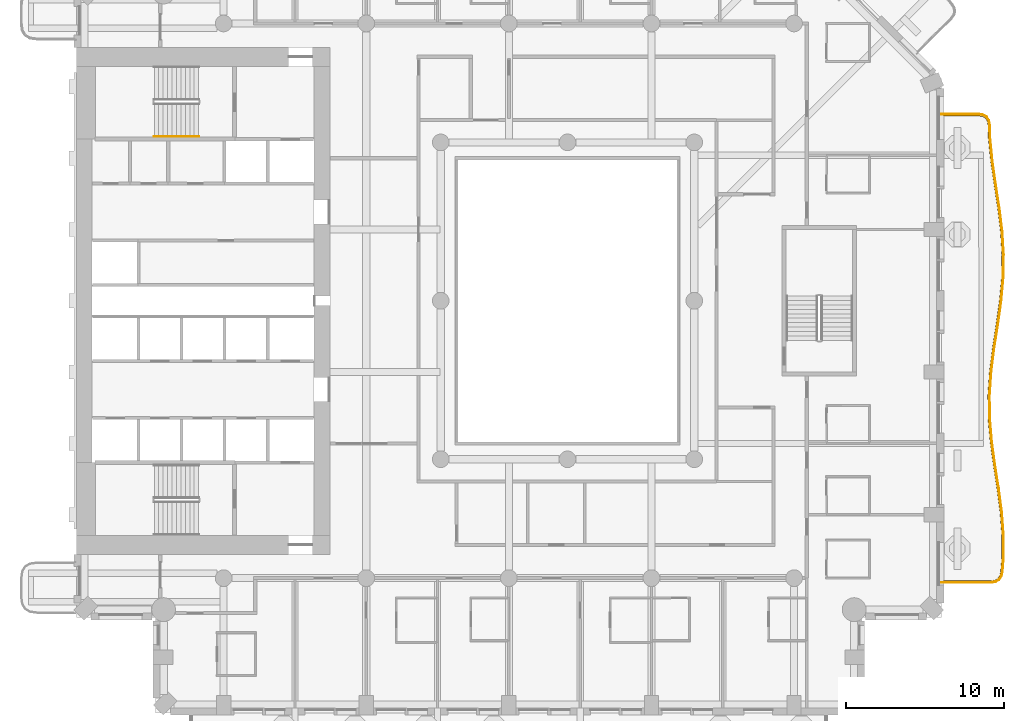
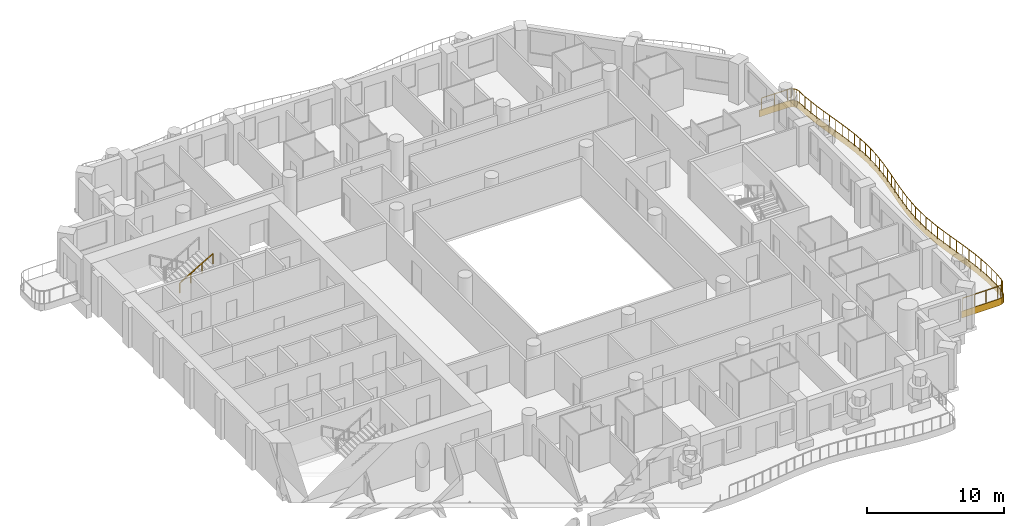
# One storey, part 16 of 20: 2 railings, 1 covering.
"""IFC4 building model written with IfcOpenShell, lengths in metres."""

import ifcopenshell
import ifcopenshell.guid

model = None  # the IFC model being written
_history = None  # IfcOwnerHistory: only IFC2X3 demands one
_inside = {}  # id of a spatial element -> (the spatial element, [elements in it])
_under = {}  # id of a project, library or spatial element -> (it, [spatial elements below it])
_declared = {}  # id of a project -> (the project, [libraries it declares])
_typed = {}  # id of a type object -> (the type object, [elements of that type])
_made_of = {}  # id of a material, layer set ... -> (it, [elements and type objects made of it])


def new_model(schema):
    """Start an empty IFC model of exactly this schema.

    Asked for "IFC4X3", IfcOpenShell would pick the latest addendum, in which some entities
    have other attributes; the version numbers below select the first issue.
    IFC2X3 requires an IfcOwnerHistory on every rooted entity: one is made here for all.
    """
    global model, _history
    if schema == "IFC4X3":
        model = ifcopenshell.file(schema_version=(4, 3, 0, 0))
    else:
        model = ifcopenshell.file(schema=schema)
    _inside.clear()
    _under.clear()
    _declared.clear()
    _typed.clear()
    _made_of.clear()
    _history = None
    if model.schema == "IFC2X3":
        org = make("IfcOrganization", Name="unknown")
        user = make(
            "IfcPersonAndOrganization",
            ThePerson=make("IfcPerson", FamilyName="unknown"),
            TheOrganization=org,
        )
        app = make(
            "IfcApplication",
            ApplicationDeveloper=org,
            Version="unknown",
            ApplicationFullName="unknown",
            ApplicationIdentifier="unknown",
        )
        _history = make(
            "IfcOwnerHistory",
            OwningUser=user,
            OwningApplication=app,
            ChangeAction="ADDED",
            CreationDate=0,
        )
    return model


def make(cls, **values):
    """One entity of the class cls with the attributes given. An attribute that is None is left unset."""
    return model.create_entity(
        cls, **{name: value for name, value in values.items() if value is not None}
    )


def rooted(cls, **values):
    """An entity with a GlobalId (a new one), such as an element, a storey or a relation."""
    return make(cls, GlobalId=ifcopenshell.guid.new(), OwnerHistory=_history, **values)


def si_unit(unit_type, name, prefix=None):
    """IfcSIUnit, for example si_unit("LENGTHUNIT", "METRE", prefix="MILLI")."""
    return make("IfcSIUnit", UnitType=unit_type, Prefix=prefix, Name=name)


def assignment(units):
    """IfcUnitAssignment: the units of a project."""
    return None if units is None else make("IfcUnitAssignment", Units=units)


def point(xyz):
    """IfcCartesianPoint."""
    return None if xyz is None else make("IfcCartesianPoint", Coordinates=xyz)


def direction(xyz):
    """IfcDirection."""
    return None if xyz is None else make("IfcDirection", DirectionRatios=xyz)


def frame(location, z_axis=None, x_axis=None):
    """IfcAxis2Placement3D, a coordinate frame: its origin and axes. An axis left out is left unset."""
    return make(
        "IfcAxis2Placement3D",
        Location=point(location),
        Axis=direction(z_axis),
        RefDirection=direction(x_axis),
    )


def frame_2d(location, x_axis=None):
    """IfcAxis2Placement2D, a coordinate frame in the plane: its origin and x axis."""
    return make(
        "IfcAxis2Placement2D", Location=point(location), RefDirection=direction(x_axis)
    )


def origin():
    """The frame at (0, 0, 0) with its axes left unset."""
    return frame((0.0, 0.0, 0.0))


def origin_2d():
    """The frame at (0, 0) in the plane with its x axis left unset."""
    return frame_2d((0.0, 0.0))


def place(relative_to, where):
    """IfcLocalPlacement: puts the frame where relative to a parent placement (None: the world)."""
    return make(
        "IfcLocalPlacement", PlacementRelTo=relative_to, RelativePlacement=where
    )


def context(
    kind, dimensions, precision=None, world=None, true_north=None, identifier=None
):
    """IfcGeometricRepresentationContext, for example the 3D "Model" context."""
    return make(
        "IfcGeometricRepresentationContext",
        ContextIdentifier=identifier,
        ContextType=kind,
        CoordinateSpaceDimension=dimensions,
        Precision=precision,
        WorldCoordinateSystem=world,
        TrueNorth=true_north,
    )


def subcontext(parent, identifier, kind, view, scale=None):
    """IfcGeometricRepresentationSubContext, for example "Body" below "Model"."""
    return make(
        "IfcGeometricRepresentationSubContext",
        ContextIdentifier=identifier,
        ContextType=kind,
        ParentContext=parent,
        TargetScale=scale,
        TargetView=view,
    )


def project(units=None, contexts=None):
    """IfcProject with its units and contexts."""
    return rooted(
        "IfcProject",
        Name="project",
        RepresentationContexts=contexts,
        UnitsInContext=assignment(units),
    )


def spatial(cls, under=None, at=None, **own):
    """A site, building, storey or space (cls), placed at a placement, below another one or the project."""
    s = rooted(cls, ObjectPlacement=at, **own)
    if under is not None:
        _under.setdefault(under.id(), (under, []))[1].append(s)
    return s


def polyline(points):
    """IfcPolyline through the points."""
    return make("IfcPolyline", Points=[point(p) for p in points])


def profile(cls, at=None, kind="AREA", **sizes):
    """A parametric profile (cls). Its sizes go by their IFC names, for example OverallWidth=200.0."""
    return make(cls, ProfileType=kind, Position=at, **sizes)


def rectangle(**sizes):
    """IfcRectangleProfileDef."""
    return profile("IfcRectangleProfileDef", **sizes)


def outline(outer, holes=None, kind="AREA"):
    """IfcArbitraryClosedProfileDef: a profile drawn as a closed curve; with holes, ...WithVoids."""
    if holes is None:
        return make("IfcArbitraryClosedProfileDef", ProfileType=kind, OuterCurve=outer)
    return make(
        "IfcArbitraryProfileDefWithVoids",
        ProfileType=kind,
        OuterCurve=outer,
        InnerCurves=holes,
    )


def extrude(swept, where, along, depth):
    """IfcExtrudedAreaSolid: the profile swept, set in the frame where, extruded along a direction by depth."""
    return make(
        "IfcExtrudedAreaSolid",
        SweptArea=swept,
        Position=where,
        ExtrudedDirection=direction(along),
        Depth=depth,
    )


def shape(context_of_items, identifier, shape_type, items):
    """IfcShapeRepresentation: the items that make up one representation, for example the "Body"."""
    return make(
        "IfcShapeRepresentation",
        ContextOfItems=context_of_items,
        RepresentationIdentifier=identifier,
        RepresentationType=shape_type,
        Items=items,
    )


def material(Name=None, Category=None):
    """IfcMaterial."""
    return make("IfcMaterial", Name=Name, Category=Category)


def layer(
    of_material, thickness, ventilated=None, Name=None, Category=None, Priority=None
):
    """IfcMaterialLayer: one layer of a wall or slab, of a material (None: an air gap)."""
    return make(
        "IfcMaterialLayer",
        Material=of_material,
        LayerThickness=thickness,
        IsVentilated=ventilated,
        Name=Name,
        Category=Category,
        Priority=Priority,
    )


def layer_set(layers, Name=None):
    """IfcMaterialLayerSet."""
    return make("IfcMaterialLayerSet", MaterialLayers=layers, LayerSetName=Name)


def made_of(thing, what):
    """Note that an element or type object is made of a material, layer set ...; save() writes the relation."""
    if what is not None:
        _made_of.setdefault(what.id(), (what, []))[1].append(thing)
    return thing


def type_object(cls, material=None, **own):
    """A type object (cls), such as IfcWallType, which elements share."""
    return made_of(rooted(cls, **own), material)


def element(
    cls,
    number,
    at=None,
    inside=None,
    cuts=None,
    type_object=None,
    material=None,
    context=None,
    identifier="Body",
    shape_type=None,
    held_by="IfcProductDefinitionShape",
    body=None,
    shapes=None,
    **own,
):
    """One element of the class cls, such as IfcWall. Its Tag is "e" and its number.

    at: its placement. inside: the storey or other place that contains it. cuts: it is an
    opening in that element (IfcRelVoidsElement). A single representation is given by context,
    identifier, shape_type and body (its items); several are given by shapes. held_by: the class
    of the entity that holds the representations. save() writes the other relations.
    """
    e = rooted(cls, Tag="e%d" % number, ObjectPlacement=at, **own)
    if body is not None:
        shapes = [shape(context, identifier, shape_type, body)]
    if shapes is not None:
        e.Representation = make(held_by, Representations=shapes)
    if inside is not None:
        _inside.setdefault(inside.id(), (inside, []))[1].append(e)
    if cuts is not None:
        rooted(
            "IfcRelVoidsElement", RelatingBuildingElement=cuts, RelatedOpeningElement=e
        )
    if type_object is not None:
        _typed.setdefault(type_object.id(), (type_object, []))[1].append(e)
    return made_of(e, material)


def aggregate(whole, parts):
    """IfcRelAggregates: a whole, such as a stair, and the parts it consists of."""
    return rooted("IfcRelAggregates", RelatingObject=whole, RelatedObjects=parts)


def save(model, path):
    """Write the relations noted so far, then the file.

    IfcRelAggregates (storeys below a building ...), IfcRelContainedInSpatialStructure (elements
    in a storey), IfcRelDefinesByType, IfcRelAssociatesMaterial and IfcRelDeclares: one each for
    every whole, place, type object, material and project.
    """
    for whole, parts in _under.values():
        aggregate(whole, parts)
    for where, things in _inside.values():
        rooted(
            "IfcRelContainedInSpatialStructure",
            RelatedElements=things,
            RelatingStructure=where,
        )
    for kind, things in _typed.values():
        rooted("IfcRelDefinesByType", RelatedObjects=things, RelatingType=kind)
    for what, things in _made_of.values():
        rooted("IfcRelAssociatesMaterial", RelatedObjects=things, RelatingMaterial=what)
    for by, libraries in _declared.values():
        rooted("IfcRelDeclares", RelatingContext=by, RelatedDefinitions=libraries)
    model.write(path)


model = new_model("IFC4")

# Units and contexts
model_context = context("Model", 3, precision=1e-05, world=origin(), true_north=direction((0.0, 1.0)))
body_context = subcontext(model_context, "Body", "Model", "MODEL_VIEW")
ifc_project = project(units=[si_unit("LENGTHUNIT", "METRE"), si_unit("AREAUNIT", "SQUARE_METRE"), si_unit("VOLUMEUNIT", "CUBIC_METRE"), si_unit("PLANEANGLEUNIT", "RADIAN"), si_unit("MASSUNIT", "GRAM", prefix="KILO")], contexts=[model_context])

# Site, building, storey
site_placement = place(None, origin())
site = spatial("IfcSite", under=ifc_project, at=site_placement, CompositionType="ELEMENT")
building_placement = place(site_placement, origin())
building = spatial("IfcBuilding", under=site, at=building_placement, Name="Cypress Arch Tower", CompositionType="ELEMENT")
storey_placement = place(building_placement, frame((0.0, 0.0, 116.699951171875)))
storey = spatial("IfcBuildingStorey", under=building, at=storey_placement, Name="L24", CompositionType="ELEMENT", Elevation=116.699951171875)

# Covering
ifc_material_1 = material(Name="White powder-coated aluminium fascia", Category="aluminium")
ifc_layer = layer(ifc_material_1, 0.050048828125)
ifc_layer_set = layer_set([ifc_layer], Name="Balcony fascia BF50")
covering_type = type_object("IfcCoveringType", Name="Balcony fascia BF50", PredefinedType="CLADDING", material=ifc_layer_set)
covering_placement = place(storey_placement, frame((0.0, 0.0, -0.599853515625)))
element("IfcCovering", 1, at=covering_placement, inside=storey, type_object=covering_type, Name="Balcony fascia L24-A06", PredefinedType="CLADDING", context=body_context, shape_type="SweptSolid", body=[
    extrude(outline(polyline([(26.941162109375, 11.800048828125), (27.24609375, 11.756591796875), (27.47607421875, 11.620849609375), (27.61767578125, 11.394775390625), (27.6689453125, 11.091064453125), (27.6904296875, 10.278076171875), (27.835205078125, 8.80615234375), (28.048583984375, 7.332275390625), (28.275390625, 5.85693359375), (28.456787109375, 4.379638671875), (28.545654296875, 2.901123046875), (28.5185546875, 1.42236328125), (28.3828125, -0.055908203125), (28.173828125, -1.5322265625), (27.945556640625, -3.007080078125), (27.757568359375, -4.479736328125), (27.658203125, -5.951416015625), (27.67333984375, -7.422607421875), (27.798583984375, -8.89453125), (28.001953125, -10.36767578125), (28.23095703125, -11.8427734375), (28.42626953125, -13.31982421875), (28.53662109375, -14.798095703125), (28.53369140625, -16.277099609375), (28.4697265625, -17.09375), (28.402587890625, -17.396728515625), (28.24951171875, -17.621826171875), (28.013427734375, -17.756591796875), (27.705810546875, -17.800048828125), (24.60107421875, -17.800048828125), (24.60107421875, -17.75), (27.702392578125, -17.75), (27.996826171875, -17.70849609375), (28.21484375, -17.583984375), (28.355712890625, -17.376708984375), (28.420166015625, -17.086181640625), (28.483642578125, -16.27490234375), (28.486572265625, -14.800048828125), (28.37646484375, -13.324951171875), (28.181640625, -11.85009765625), (27.95263671875, -10.375), (27.748779296875, -8.89990234375), (27.623291015625, -7.425048828125), (27.608154296875, -5.949951171875), (27.707763671875, -4.47509765625), (27.89599609375, -3.0), (28.124267578125, -1.52490234375), (28.333251953125, -0.050048828125), (28.46875, 1.425048828125), (28.49560546875, 2.89990234375), (28.406982421875, 4.375), (28.225830078125, 5.85009765625), (27.9990234375, 7.324951171875), (27.785400390625, 8.800048828125), (27.640625, 10.27490234375), (27.619140625, 11.086181640625), (27.570068359375, 11.376708984375), (27.440185546875, 11.583984375), (27.229248046875, 11.70849609375), (26.937744140625, 11.75), (24.60107421875, 11.75), (24.60107421875, 11.800048828125), (26.941162109375, 11.800048828125)])), origin(), (0.0, 0.0, 1.0), 0.599853515625),
])

# Railings
ifc_material_2 = material(Name="Powder-coated steel posts and rods, 100 mm clear between rods", Category="steel")
railing_type_1 = type_object("IfcRailingType", Name="Balcony guard GR1100", PredefinedType="GUARDRAIL", material=ifc_material_2)
railing_1_placement = place(storey_placement, frame((24.75, 11.699951171875, 0.0)))
element("IfcRailing", 2, at=railing_1_placement, inside=storey, type_object=railing_type_1, Name="Balcony guard L24-A06", PredefinedType="GUARDRAIL", context=body_context, shape_type="SweptSolid", body=[
    extrude(rectangle(XDim=0.050048828125, YDim=0.050048828125, at=origin_2d()), frame((0.0, 0.0, 1.0751953125), z_axis=(1.0, 0.0, 0.0), x_axis=(0.0, 1.0, 0.0)), (0.0, 0.0, 1.0), 2.18408203125),
    extrude(rectangle(XDim=0.050048828125, YDim=0.050048828125, at=origin_2d()), frame((2.18408203125, 0.0, 1.0751953125), z_axis=(0.990053441017, -0.140691804776, 0.0), x_axis=(0.140691804776, 0.990053441017, 0.0)), (0.0, 0.0, 1.0), 0.281005859375),
    extrude(rectangle(XDim=0.050048828125, YDim=0.050048828125, at=origin_2d()), frame((2.46240234375, -0.03955078125, 1.0751953125), z_axis=(0.86114456316, -0.508360149245, 0.0), x_axis=(0.508360149245, 0.86114456316, 0.0)), (0.0, 0.0, 1.0), 0.222900390625),
    extrude(rectangle(XDim=0.050048828125, YDim=0.050048828125, at=origin_2d()), frame((2.654296875, -0.15283203125, 1.0751953125), z_axis=(0.53068867466, -0.84756682957, 0.0), x_axis=(0.84756682957, 0.53068867466, 0.0)), (0.0, 0.0, 1.0), 0.22265625),
    extrude(rectangle(XDim=0.050048828125, YDim=0.050048828125, at=origin_2d()), frame((2.7724609375, -0.341552734375, 1.0751953125), z_axis=(0.166793339577, -0.985991877184, 0.0), x_axis=(0.985991877184, 0.166793339577, 0.0)), (0.0, 0.0, 1.0), 0.281005859375),
    extrude(rectangle(XDim=0.050048828125, YDim=0.050048828125, at=origin_2d()), frame((2.8193359375, -0.61865234375, 1.0751953125), z_axis=(0.026235310457, -0.999655795004, 0.0), x_axis=(0.999655795004, 0.026235310457, 0.0)), (0.0, 0.0, 1.0), 0.8095703125),
    extrude(rectangle(XDim=0.050048828125, YDim=0.050048828125, at=origin_2d()), frame((2.840576171875, -1.427978515625, 1.0751953125), z_axis=(0.097810866807, -0.995205021257, 0.0), x_axis=(0.995205021257, 0.097810866807, 0.0)), (0.0, 0.0, 1.0), 1.485107421875),
    extrude(rectangle(XDim=0.050048828125, YDim=0.050048828125, at=origin_2d()), frame((2.98583984375, -2.906005859375, 1.0751953125), z_axis=(0.143368670657, -0.989669350983, 0.0), x_axis=(0.989669350983, 0.143368670657, 0.0)), (0.0, 0.0, 1.0), 1.49169921875),
    extrude(rectangle(XDim=0.050048828125, YDim=0.050048828125, at=origin_2d()), frame((3.19970703125, -4.38232421875, 1.0751953125), z_axis=(0.151884998186, -0.988398172462, 0.0), x_axis=(0.988398172462, 0.151884998186, 0.0)), (0.0, 0.0, 1.0), 1.49169921875),
    extrude(rectangle(XDim=0.050048828125, YDim=0.050048828125, at=origin_2d()), frame((3.42626953125, -5.856689453125, 1.0751953125), z_axis=(0.121908361967, -0.992541359986, 0.0), x_axis=(0.992541359986, 0.121908361967, 0.0)), (0.0, 0.0, 1.0), 1.48388671875),
    extrude(rectangle(XDim=0.050048828125, YDim=0.050048828125, at=origin_2d()), frame((3.607177734375, -7.32958984375, 1.0751953125), z_axis=(0.059955001041, -0.99820108087, 0.0), x_axis=(0.99820108087, 0.059955001041, 0.0)), (0.0, 0.0, 1.0), 1.47412109375),
    extrude(rectangle(XDim=0.050048828125, YDim=0.050048828125, at=origin_2d()), frame((3.695556640625, -8.801025390625, 1.0751953125), z_axis=(-0.018251191113, -0.999833433139, 0.0), x_axis=(0.999833433139, -0.018251191113, 0.0)), (0.0, 0.0, 1.0), 1.471435546875),
    extrude(rectangle(XDim=0.050048828125, YDim=0.050048828125, at=origin_2d()), frame((3.668701171875, -10.272216796875, 1.0751953125), z_axis=(-0.091503702734, -0.995804736073, 0.0), x_axis=(0.995804736073, -0.091503702734, 0.0)), (0.0, 0.0, 1.0), 1.47802734375),
    extrude(rectangle(XDim=0.050048828125, YDim=0.050048828125, at=origin_2d()), frame((3.533447265625, -11.744140625, 1.0751953125), z_axis=(-0.140272828559, -0.990112889305, 0.0), x_axis=(0.990112889305, -0.140272828559, 0.0)), (0.0, 0.0, 1.0), 1.488037109375),
    extrude(rectangle(XDim=0.050048828125, YDim=0.050048828125, at=origin_2d()), frame((3.32470703125, -13.217529296875, 1.0751953125), z_axis=(-0.152745334218, -0.988265583168, 0.0), x_axis=(0.988265583168, -0.152745334218, 0.0)), (0.0, 0.0, 1.0), 1.492919921875),
    extrude(rectangle(XDim=0.050048828125, YDim=0.050048828125, at=origin_2d()), frame((3.0966796875, -14.69287109375, 1.0751953125), z_axis=(-0.126717684698, -0.991938822904, 0.0), x_axis=(0.991938822904, -0.126717684698, 0.0)), (0.0, 0.0, 1.0), 1.4892578125),
    extrude(rectangle(XDim=0.050048828125, YDim=0.050048828125, at=origin_2d()), frame((2.907958984375, -16.170166015625, 1.0751953125), z_axis=(-0.067229876971, -0.997737512396, 0.0), x_axis=(0.997737512396, -0.067229876971, 0.0)), (0.0, 0.0, 1.0), 1.481689453125),
    extrude(rectangle(XDim=0.050048828125, YDim=0.050048828125, at=origin_2d()), frame((2.808349609375, -17.6484375, 1.0751953125), z_axis=(0.010068819379, -0.999949308153, 0.0), x_axis=(0.999949308153, 0.010068819379, 0.0)), (0.0, 0.0, 1.0), 1.47900390625),
    extrude(rectangle(XDim=0.050048828125, YDim=0.050048828125, at=origin_2d()), frame((2.8232421875, -19.12744140625, 1.0751953125), z_axis=(0.084924987016, -0.996387347662, 0.0), x_axis=(0.996387347662, 0.084924987016, 0.0)), (0.0, 0.0, 1.0), 1.4833984375),
    extrude(rectangle(XDim=0.050048828125, YDim=0.050048828125, at=origin_2d()), frame((2.94921875, -20.60546875, 1.0751953125), z_axis=(0.136742686677, -0.990606600846, 0.0), x_axis=(0.990606600846, 0.136742686677, 0.0)), (0.0, 0.0, 1.0), 1.49072265625),
    extrude(rectangle(XDim=0.050048828125, YDim=0.050048828125, at=origin_2d()), frame((3.153076171875, -22.082275390625, 1.0751953125), z_axis=(0.153433717504, -0.988158941837, 0.0), x_axis=(0.988158941837, 0.153433717504, 0.0)), (0.0, 0.0, 1.0), 1.492431640625),
    extrude(rectangle(XDim=0.050048828125, YDim=0.050048828125, at=origin_2d()), frame((3.382080078125, -23.55712890625, 1.0751953125), z_axis=(0.130968842761, -0.991386484791, 0.0), x_axis=(0.991386484791, 0.130968842761, 0.0)), (0.0, 0.0, 1.0), 1.485595703125),
    extrude(rectangle(XDim=0.050048828125, YDim=0.050048828125, at=origin_2d()), frame((3.57666015625, -25.030029296875, 1.0751953125), z_axis=(0.07444447942, -0.997225159873, 0.0), x_axis=(0.997225159873, 0.07444447942, 0.0)), (0.0, 0.0, 1.0), 1.475830078125),
    extrude(rectangle(XDim=0.050048828125, YDim=0.050048828125, at=origin_2d()), frame((3.6865234375, -26.501708984375, 1.0751953125), z_axis=(-0.001991366778, -0.999998017227, 0.0), x_axis=(0.999998017227, -0.001991366778, 0.0)), (0.0, 0.0, 1.0), 1.47119140625),
    extrude(rectangle(XDim=0.050048828125, YDim=0.050048828125, at=origin_2d()), frame((3.68359375, -27.972900390625, 1.0751953125), z_axis=(-0.077920500013, -0.996959575749, 0.0), x_axis=(0.996959575749, -0.077920500013, 0.0)), (0.0, 0.0, 1.0), 0.808349609375),
    extrude(rectangle(XDim=0.050048828125, YDim=0.050048828125, at=origin_2d()), frame((3.62060546875, -28.77880859375, 1.0751953125), z_axis=(-0.216384915757, -0.976308131807, 0.0), x_axis=(0.976308131807, -0.216384915757, 0.0)), (0.0, 0.0, 1.0), 0.284423828125),
    extrude(rectangle(XDim=0.050048828125, YDim=0.050048828125, at=origin_2d()), frame((3.55908203125, -29.056396484375, 1.0751953125), z_axis=(-0.562280947949, -0.826946271274, 0.0), x_axis=(0.826946271274, -0.562280947949, 0.0)), (0.0, 0.0, 1.0), 0.229736328125),
    extrude(rectangle(XDim=0.050048828125, YDim=0.050048828125, at=origin_2d()), frame((3.429931640625, -29.246337890625, 1.0751953125), z_axis=(-0.868177741287, -0.496253372315, 0.0), x_axis=(0.496253372315, -0.868177741287, 0.0)), (0.0, 0.0, 1.0), 0.229736328125),
    extrude(rectangle(XDim=0.050048828125, YDim=0.050048828125, at=origin_2d()), frame((3.23046875, -29.3603515625, 1.0751953125), z_axis=(-0.990273226818, -0.139136394401, 0.0), x_axis=(0.139136394401, -0.990273226818, 0.0)), (0.0, 0.0, 1.0), 0.2841796875),
    extrude(rectangle(XDim=0.050048828125, YDim=0.050048828125, at=origin_2d()), frame((2.948974609375, -29.39990234375, 1.0751953125), z_axis=(-1.0, 0.0, 0.0), x_axis=(0.0, -1.0, 0.0)), (0.0, 0.0, 1.0), 2.948974609375),
    extrude(rectangle(XDim=0.0400390625, YDim=0.0400390625, at=origin_2d()), origin(), (0.0, 0.0, 1.0), 1.050048828125),
    extrude(rectangle(XDim=0.0400390625, YDim=0.0400390625, at=origin_2d()), frame((1.092041015625, 0.0, 0.0)), (0.0, 0.0, 1.0), 1.050048828125),
    extrude(rectangle(XDim=0.0400390625, YDim=0.0400390625, at=origin_2d()), frame((2.18408203125, 0.0, 0.0)), (0.0, 0.0, 1.0), 1.050048828125),
    extrude(rectangle(XDim=0.0400390625, YDim=0.0400390625, at=origin_2d()), frame((2.46240234375, -0.03955078125, 0.0)), (0.0, 0.0, 1.0), 1.050048828125),
    extrude(rectangle(XDim=0.0400390625, YDim=0.0400390625, at=origin_2d()), frame((2.654296875, -0.15283203125, 0.0)), (0.0, 0.0, 1.0), 1.050048828125),
    extrude(rectangle(XDim=0.0400390625, YDim=0.0400390625, at=origin_2d()), frame((2.7724609375, -0.341552734375, 0.0)), (0.0, 0.0, 1.0), 1.050048828125),
    extrude(rectangle(XDim=0.0400390625, YDim=0.0400390625, at=origin_2d()), frame((2.8193359375, -0.61865234375, 0.0)), (0.0, 0.0, 1.0), 1.050048828125),
    extrude(rectangle(XDim=0.0400390625, YDim=0.0400390625, at=origin_2d()), frame((2.840576171875, -1.427978515625, 0.0)), (0.0, 0.0, 1.0), 1.050048828125),
    extrude(rectangle(XDim=0.0400390625, YDim=0.0400390625, at=origin_2d()), frame((2.9130859375, -2.1669921875, 0.0)), (0.0, 0.0, 1.0), 1.050048828125),
    extrude(rectangle(XDim=0.0400390625, YDim=0.0400390625, at=origin_2d()), frame((2.98583984375, -2.906005859375, 0.0)), (0.0, 0.0, 1.0), 1.050048828125),
    extrude(rectangle(XDim=0.0400390625, YDim=0.0400390625, at=origin_2d()), frame((3.0927734375, -3.64404296875, 0.0)), (0.0, 0.0, 1.0), 1.050048828125),
    extrude(rectangle(XDim=0.0400390625, YDim=0.0400390625, at=origin_2d()), frame((3.19970703125, -4.38232421875, 0.0)), (0.0, 0.0, 1.0), 1.050048828125),
    extrude(rectangle(XDim=0.0400390625, YDim=0.0400390625, at=origin_2d()), frame((3.31298828125, -5.11962890625, 0.0)), (0.0, 0.0, 1.0), 1.050048828125),
    extrude(rectangle(XDim=0.0400390625, YDim=0.0400390625, at=origin_2d()), frame((3.42626953125, -5.856689453125, 0.0)), (0.0, 0.0, 1.0), 1.050048828125),
    extrude(rectangle(XDim=0.0400390625, YDim=0.0400390625, at=origin_2d()), frame((3.5166015625, -6.59326171875, 0.0)), (0.0, 0.0, 1.0), 1.050048828125),
    extrude(rectangle(XDim=0.0400390625, YDim=0.0400390625, at=origin_2d()), frame((3.607177734375, -7.32958984375, 0.0)), (0.0, 0.0, 1.0), 1.050048828125),
    extrude(rectangle(XDim=0.0400390625, YDim=0.0400390625, at=origin_2d()), frame((3.6513671875, -8.0654296875, 0.0)), (0.0, 0.0, 1.0), 1.050048828125),
    extrude(rectangle(XDim=0.0400390625, YDim=0.0400390625, at=origin_2d()), frame((3.695556640625, -8.801025390625, 0.0)), (0.0, 0.0, 1.0), 1.050048828125),
    extrude(rectangle(XDim=0.0400390625, YDim=0.0400390625, at=origin_2d()), frame((3.68212890625, -9.53662109375, 0.0)), (0.0, 0.0, 1.0), 1.050048828125),
    extrude(rectangle(XDim=0.0400390625, YDim=0.0400390625, at=origin_2d()), frame((3.668701171875, -10.272216796875, 0.0)), (0.0, 0.0, 1.0), 1.050048828125),
    extrude(rectangle(XDim=0.0400390625, YDim=0.0400390625, at=origin_2d()), frame((3.60107421875, -11.00830078125, 0.0)), (0.0, 0.0, 1.0), 1.050048828125),
    extrude(rectangle(XDim=0.0400390625, YDim=0.0400390625, at=origin_2d()), frame((3.533447265625, -11.744140625, 0.0)), (0.0, 0.0, 1.0), 1.050048828125),
    extrude(rectangle(XDim=0.0400390625, YDim=0.0400390625, at=origin_2d()), frame((3.42919921875, -12.48095703125, 0.0)), (0.0, 0.0, 1.0), 1.050048828125),
    extrude(rectangle(XDim=0.0400390625, YDim=0.0400390625, at=origin_2d()), frame((3.32470703125, -13.217529296875, 0.0)), (0.0, 0.0, 1.0), 1.050048828125),
    extrude(rectangle(XDim=0.0400390625, YDim=0.0400390625, at=origin_2d()), frame((3.210693359375, -13.955078125, 0.0)), (0.0, 0.0, 1.0), 1.050048828125),
    extrude(rectangle(XDim=0.0400390625, YDim=0.0400390625, at=origin_2d()), frame((3.0966796875, -14.69287109375, 0.0)), (0.0, 0.0, 1.0), 1.050048828125),
    extrude(rectangle(XDim=0.0400390625, YDim=0.0400390625, at=origin_2d()), frame((3.00244140625, -15.431640625, 0.0)), (0.0, 0.0, 1.0), 1.050048828125),
    extrude(rectangle(XDim=0.0400390625, YDim=0.0400390625, at=origin_2d()), frame((2.907958984375, -16.170166015625, 0.0)), (0.0, 0.0, 1.0), 1.050048828125),
    extrude(rectangle(XDim=0.0400390625, YDim=0.0400390625, at=origin_2d()), frame((2.858154296875, -16.9091796875, 0.0)), (0.0, 0.0, 1.0), 1.050048828125),
    extrude(rectangle(XDim=0.0400390625, YDim=0.0400390625, at=origin_2d()), frame((2.808349609375, -17.6484375, 0.0)), (0.0, 0.0, 1.0), 1.050048828125),
    extrude(rectangle(XDim=0.0400390625, YDim=0.0400390625, at=origin_2d()), frame((2.81591796875, -18.387939453125, 0.0)), (0.0, 0.0, 1.0), 1.050048828125),
    extrude(rectangle(XDim=0.0400390625, YDim=0.0400390625, at=origin_2d()), frame((2.8232421875, -19.12744140625, 0.0)), (0.0, 0.0, 1.0), 1.050048828125),
    extrude(rectangle(XDim=0.0400390625, YDim=0.0400390625, at=origin_2d()), frame((2.88623046875, -19.866455078125, 0.0)), (0.0, 0.0, 1.0), 1.050048828125),
    extrude(rectangle(XDim=0.0400390625, YDim=0.0400390625, at=origin_2d()), frame((2.94921875, -20.60546875, 0.0)), (0.0, 0.0, 1.0), 1.050048828125),
    extrude(rectangle(XDim=0.0400390625, YDim=0.0400390625, at=origin_2d()), frame((3.05126953125, -21.34375, 0.0)), (0.0, 0.0, 1.0), 1.050048828125),
    extrude(rectangle(XDim=0.0400390625, YDim=0.0400390625, at=origin_2d()), frame((3.153076171875, -22.082275390625, 0.0)), (0.0, 0.0, 1.0), 1.050048828125),
    extrude(rectangle(XDim=0.0400390625, YDim=0.0400390625, at=origin_2d()), frame((3.267578125, -22.81982421875, 0.0)), (0.0, 0.0, 1.0), 1.050048828125),
    extrude(rectangle(XDim=0.0400390625, YDim=0.0400390625, at=origin_2d()), frame((3.382080078125, -23.55712890625, 0.0)), (0.0, 0.0, 1.0), 1.050048828125),
    extrude(rectangle(XDim=0.0400390625, YDim=0.0400390625, at=origin_2d()), frame((3.4794921875, -24.29345703125, 0.0)), (0.0, 0.0, 1.0), 1.050048828125),
    extrude(rectangle(XDim=0.0400390625, YDim=0.0400390625, at=origin_2d()), frame((3.57666015625, -25.030029296875, 0.0)), (0.0, 0.0, 1.0), 1.050048828125),
    extrude(rectangle(XDim=0.0400390625, YDim=0.0400390625, at=origin_2d()), frame((3.631591796875, -25.765869140625, 0.0)), (0.0, 0.0, 1.0), 1.050048828125),
    extrude(rectangle(XDim=0.0400390625, YDim=0.0400390625, at=origin_2d()), frame((3.6865234375, -26.501708984375, 0.0)), (0.0, 0.0, 1.0), 1.050048828125),
    extrude(rectangle(XDim=0.0400390625, YDim=0.0400390625, at=origin_2d()), frame((3.68505859375, -27.2373046875, 0.0)), (0.0, 0.0, 1.0), 1.050048828125),
    extrude(rectangle(XDim=0.0400390625, YDim=0.0400390625, at=origin_2d()), frame((3.68359375, -27.972900390625, 0.0)), (0.0, 0.0, 1.0), 1.050048828125),
    extrude(rectangle(XDim=0.0400390625, YDim=0.0400390625, at=origin_2d()), frame((3.62060546875, -28.77880859375, 0.0)), (0.0, 0.0, 1.0), 1.050048828125),
    extrude(rectangle(XDim=0.0400390625, YDim=0.0400390625, at=origin_2d()), frame((3.55908203125, -29.056396484375, 0.0)), (0.0, 0.0, 1.0), 1.050048828125),
    extrude(rectangle(XDim=0.0400390625, YDim=0.0400390625, at=origin_2d()), frame((3.429931640625, -29.246337890625, 0.0)), (0.0, 0.0, 1.0), 1.050048828125),
    extrude(rectangle(XDim=0.0400390625, YDim=0.0400390625, at=origin_2d()), frame((3.23046875, -29.3603515625, 0.0)), (0.0, 0.0, 1.0), 1.050048828125),
    extrude(rectangle(XDim=0.0400390625, YDim=0.0400390625, at=origin_2d()), frame((2.948974609375, -29.39990234375, 0.0)), (0.0, 0.0, 1.0), 1.050048828125),
    extrude(rectangle(XDim=0.0400390625, YDim=0.0400390625, at=origin_2d()), frame((1.966064453125, -29.39990234375, 0.0)), (0.0, 0.0, 1.0), 1.050048828125),
    extrude(rectangle(XDim=0.0400390625, YDim=0.0400390625, at=origin_2d()), frame((0.98291015625, -29.39990234375, 0.0)), (0.0, 0.0, 1.0), 1.050048828125),
    extrude(rectangle(XDim=0.0400390625, YDim=0.0400390625, at=origin_2d()), frame((0.0, -29.39990234375, 0.0)), (0.0, 0.0, 1.0), 1.050048828125),
])
ifc_material_3 = material(Name="Black powder-coated steel square bar 48 mm", Category="steel")
railing_type_2 = type_object("IfcRailingType", Name="Stair handrail HR1", PredefinedType="HANDRAIL", material=ifc_material_3)
railing_2_placement = place(storey_placement, frame((-25.074951171875, 10.375, 1.963623046875)))
element("IfcRailing", 3, at=railing_2_placement, inside=storey, type_object=railing_type_2, Name="L24 B stair handrail 2", PredefinedType="HANDRAIL", context=body_context, shape_type="SweptSolid", body=[
    extrude(rectangle(XDim=0.048095703125, YDim=0.048095703125, at=origin_2d()), frame((0.0, 0.0, 0.8759765625), z_axis=(0.863360870873, 0.0, 0.504586966384), x_axis=(0.0, 1.0, 0.0)), (0.0, 0.0, 1.0), 3.2431640625),
    extrude(rectangle(XDim=0.0419921875, YDim=0.0419921875, at=origin_2d()), origin(), (0.0, 0.0, 1.0), 0.851806640625),
    extrude(rectangle(XDim=0.0419921875, YDim=0.0419921875, at=origin_2d()), frame((0.933349609375, 0.0, 0.54541015625)), (0.0, 0.0, 1.0), 0.851806640625),
    extrude(rectangle(XDim=0.0419921875, YDim=0.0419921875, at=origin_2d()), frame((1.86669921875, 0.0, 1.091064453125)), (0.0, 0.0, 1.0), 0.851806640625),
    extrude(rectangle(XDim=0.0419921875, YDim=0.0419921875, at=origin_2d()), frame((2.800048828125, 0.0, 1.636474609375)), (0.0, 0.0, 1.0), 0.851806640625),
])

save(model, "model.ifc")
